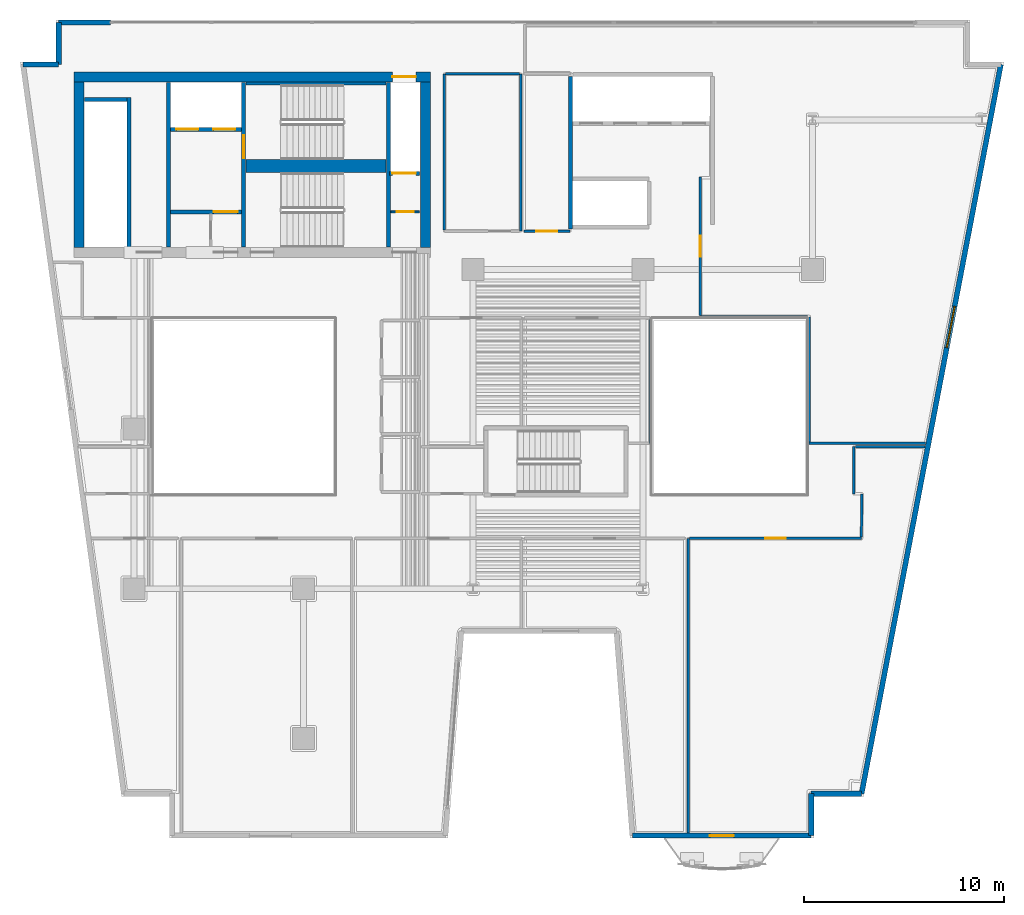
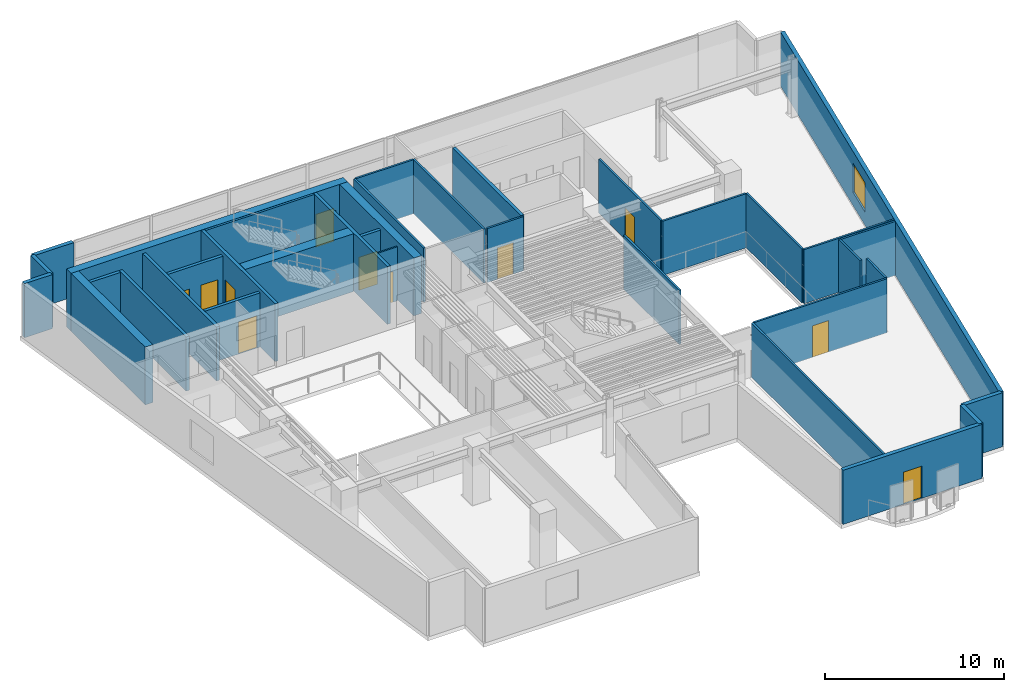
# One storey, part 7 of 12: 36 walls, 11 doors, 1 window, 12 openings.
"""IFC4 building model written with IfcOpenShell, lengths in metres."""

from ifc_helpers import new_model, si_unit, direction, frame, frame_2d, origin, place, context, subcontext, project, spatial, rectangle, extrude, material, layer, layer_set, type_object, element, fill, save


model = new_model("IFC4")

# Units and contexts
model_context = context("Model", 3, precision=1e-05, world=origin(), true_north=direction((0.0, 1.0)))
body_context = subcontext(model_context, "Body", "Model", "MODEL_VIEW")
ifc_project = project(units=[si_unit("LENGTHUNIT", "METRE"), si_unit("AREAUNIT", "SQUARE_METRE"), si_unit("VOLUMEUNIT", "CUBIC_METRE"), si_unit("PLANEANGLEUNIT", "RADIAN"), si_unit("MASSUNIT", "GRAM", prefix="KILO")], contexts=[model_context])

# Site, building, storey
site_placement = place(None, origin())
site = spatial("IfcSite", under=ifc_project, at=site_placement, CompositionType="ELEMENT")
building_placement = place(site_placement, origin())
building = spatial("IfcBuilding", under=site, at=building_placement, Name="Caeloran Harvest Quay", CompositionType="ELEMENT")
storey_placement = place(building_placement, frame((0.0, 0.0, 146.949951171875)))
storey = spatial("IfcBuildingStorey", under=building, at=storey_placement, Name="L34", CompositionType="ELEMENT", Elevation=146.949951171875)

# Walls
ifc_material_1 = material(Name="Precast concrete C50/60", Category="concrete")
ifc_layer_1 = layer(ifc_material_1, 0.260009765625, Name="Precast concrete C50/60")
ifc_layer_set_1 = layer_set([ifc_layer_1], Name="Precast concrete C50/60")
wall_type_1 = type_object("IfcWallType", Name="ENV-WALL-EW-260", PredefinedType="STANDARD", material=ifc_layer_set_1)
wall_1_placement = place(storey_placement, frame((2.939697265625, 41.27001953125, 0.0), z_axis=(0.0, 0.0, 1.0), x_axis=(1.0, 0.0, 0.0)))
element("IfcWall", 1, at=wall_1_placement, inside=storey, type_object=wall_type_1, Name="L34 Exterior Precast Concrete Facade Wall 4", PredefinedType="STANDARD", context=body_context, shape_type="SweptSolid", body=[
    extrude(rectangle(XDim=1.790283203125, YDim=0.260009765625, at=frame_2d((0.89501953125, 0.0))), origin(), (0.0, 0.0, 1.0), 3.68994140625),
])
wall_2_placement = place(storey_placement, frame((4.72998046875, 41.27001953125, 0.0), z_axis=(0.0, 0.0, 1.0), x_axis=(0.0, 1.0, 0.0)))
element("IfcWall", 2, at=wall_2_placement, inside=storey, type_object=wall_type_1, Name="L34 Exterior Precast Concrete Facade Wall 5", PredefinedType="STANDARD", context=body_context, shape_type="SweptSolid", body=[
    extrude(rectangle(XDim=2.10009765625, YDim=0.260009765625, at=frame_2d((1.050048828125, 0.0))), origin(), (0.0, 0.0, 1.0), 3.68994140625),
])
wall_3_placement = place(storey_placement, frame((4.72998046875, 43.3701171875, 0.0), z_axis=(0.0, 0.0, 1.0), x_axis=(1.0, 0.0, 0.0)))
element("IfcWall", 3, at=wall_3_placement, inside=storey, type_object=wall_type_1, Name="L34 Exterior Facade Corner Pier Wall 6A", PredefinedType="STANDARD", context=body_context, shape_type="SweptSolid", body=[
    extrude(rectangle(XDim=2.60009765625, YDim=0.260009765625, at=frame_2d((1.300048828125, 0.0))), origin(), (0.0, 0.0, 1.0), 3.68994140625),
])

# Wall, opening, window
wall_4_placement = place(storey_placement, frame((51.94189453125, 41.27001953125, 0.0), z_axis=(0.0, 0.0, 1.0), x_axis=(-0.187592192405, -0.982247000173, 0.0)))
wall_4 = element("IfcWall", 4, at=wall_4_placement, inside=storey, type_object=wall_type_1, Name="L34 Exterior Precast Concrete Facade Wall 9", PredefinedType="STANDARD", context=body_context, shape_type="SweptSolid", body=[
    extrude(rectangle(XDim=37.200439453125, YDim=0.260009765625, at=frame_2d((18.60009765625, 0.0))), origin(), (0.0, 0.0, 1.0), 3.68994140625),
])
opening_1_placement = place(wall_4_placement, frame((12.342041015625, 0.0, 0.89990234375)))
opening_1 = element("IfcOpeningElement", 5, at=opening_1_placement, cuts=wall_4, Name="Opening W-06", PredefinedType="OPENING", context=body_context, shape_type="SweptSolid", body=[
    extrude(rectangle(XDim=2.10009765625, YDim=2.0, at=frame_2d((1.050048828125, 1.0))), frame((0.0, 0.14013671875, 0.0), z_axis=(0.0, -1.0, 0.0), x_axis=(1.0, 0.0, 0.0)), (0.0, 0.0, 1.0), 0.280029296875),
])
ifc_material_2 = material(Name="Aluminium-Framed Low-E Laminated Glass", Category="aluminium")
window_type = type_object("IfcWindowType", Name="WIN-W-06", PartitioningType="DOUBLE_PANEL_VERTICAL", PredefinedType="WINDOW", material=ifc_material_2)
window_placement = place(opening_1_placement, origin())
window = element("IfcWindow", 6, at=window_placement, inside=storey, type_object=window_type, Name="L34 Facade Punched Window W-06", OverallHeight=2.0, OverallWidth=2.10009765625, PartitioningType="DOUBLE_PANEL_VERTICAL", PredefinedType="WINDOW", context=body_context, shape_type="SweptSolid", body=[
    extrude(rectangle(XDim=2.10009765625, YDim=2.0, at=frame_2d((1.050048828125, 1.0))), frame((0.0, 0.030029296875, 0.0), z_axis=(0.0, -1.0, 0.0), x_axis=(1.0, 0.0, 0.0)), (0.0, 0.0, 1.0), 0.06005859375),
])
fill(opening_1, window)

# Walls
wall_5_placement = place(storey_placement, frame((44.96337890625, 4.72998046875, 0.0), z_axis=(0.0, 0.0, 1.0), x_axis=(-1.0, 0.0, 0.0)))
element("IfcWall", 7, at=wall_5_placement, inside=storey, type_object=wall_type_1, Name="L34 Exterior Precast Concrete Facade Wall 10", PredefinedType="STANDARD", context=body_context, shape_type="SweptSolid", body=[
    extrude(rectangle(XDim=2.5234375, YDim=0.260009765625, at=frame_2d((1.26171875, 0.0))), origin(), (0.0, 0.0, 1.0), 3.68994140625),
])
wall_6_placement = place(storey_placement, frame((42.43994140625, 4.72998046875, 0.0), z_axis=(0.0, 0.0, 1.0), x_axis=(0.0, -1.0, 0.0)))
element("IfcWall", 8, at=wall_6_placement, inside=storey, type_object=wall_type_1, Name="L34 Exterior Precast Concrete Facade Wall 11", PredefinedType="STANDARD", context=body_context, shape_type="SweptSolid", body=[
    extrude(rectangle(XDim=2.10009765625, YDim=0.260009765625, at=frame_2d((1.050048828125, 0.0))), origin(), (0.0, 0.0, 1.0), 3.68994140625),
])

# Wall, opening, door
wall_7_placement = place(storey_placement, frame((42.43994140625, 2.6298828125, 0.0), z_axis=(0.0, 0.0, 1.0), x_axis=(-1.0, 0.0, 0.0)))
wall_7 = element("IfcWall", 9, at=wall_7_placement, inside=storey, type_object=wall_type_1, Name="L34 Exterior Precast Concrete Facade Wall 12", PredefinedType="STANDARD", context=body_context, shape_type="SweptSolid", body=[
    extrude(rectangle(XDim=8.96484375, YDim=0.260009765625, at=frame_2d((4.482421875, 0.0))), origin(), (0.0, 0.0, 1.0), 3.68994140625),
])
opening_2_placement = place(wall_7_placement, frame((3.882080078125, 0.0, 0.0)))
opening_2 = element("IfcOpeningElement", 10, at=opening_2_placement, cuts=wall_7, Name="Opening BD-01", PredefinedType="OPENING", context=body_context, shape_type="SweptSolid", body=[
    extrude(rectangle(XDim=1.199951171875, YDim=2.199951171875, at=frame_2d((0.60009765625, 1.10009765625))), frame((0.0, 0.14013671875, 0.0), z_axis=(0.0, -1.0, 0.0), x_axis=(1.0, 0.0, 0.0)), (0.0, 0.0, 1.0), 0.280029296875),
])
ifc_material_3 = material(Name="Thermally Broken Powder-Coated Aluminium and Safety Glass", Category="aluminium")
door_type_1 = type_object("IfcDoorType", Name="EXTDOOR-BD-01", OperationType="NOTDEFINED", PredefinedType="DOOR", material=ifc_material_3)
door_1_placement = place(opening_2_placement, origin())
door_1 = element("IfcDoor", 11, at=door_1_placement, inside=storey, type_object=door_type_1, Name="L34 Planted Balcony Glazed Access Door", OperationType="SINGLE_SWING_LEFT", OverallHeight=2.199951171875, OverallWidth=1.199951171875, PredefinedType="DOOR", context=body_context, shape_type="SweptSolid", body=[
    extrude(rectangle(XDim=1.199951171875, YDim=2.199951171875, at=frame_2d((0.60009765625, 1.10009765625))), frame((0.0, 0.02490234375, 0.0), z_axis=(0.0, -1.0, 0.0), x_axis=(1.0, 0.0, 0.0)), (0.0, 0.0, 1.0), 0.050048828125),
])
fill(opening_2, door_1)

ifc_material_4 = material(Name="Fire-Resisting Gypsum Core Riser Partition", Category="gypsum")
ifc_layer_2 = layer(ifc_material_4, 0.10009765625, Name="Fire-Resisting Gypsum Core Riser Partition")
ifc_layer_set_2 = layer_set([ifc_layer_2], Name="Fire-Resisting Gypsum Core Riser Partition")
wall_type_2 = type_object("IfcWallType", Name="INT-WALL-PW-100", PredefinedType="PARTITIONING", material=ifc_layer_set_2)
wall_8_placement = place(storey_placement, frame((21.3798828125, 33.889892578125, 0.0), z_axis=(0.0, 0.0, 1.0), x_axis=(1.0, 0.0, 0.0)))
wall_8 = element("IfcWall", 12, at=wall_8_placement, inside=storey, type_object=wall_type_2, Name="L34 Cleaner Store Partition Wall", PredefinedType="PARTITIONING", context=body_context, shape_type="SweptSolid", body=[
    extrude(rectangle(XDim=1.420166015625, YDim=0.10009765625, at=frame_2d((0.7099609375, 0.0))), origin(), (0.0, 0.0, 1.0), 3.68994140625),
])
opening_3_placement = place(wall_8_placement, frame((0.280029296875, 0.0, 0.0)))
opening_3 = element("IfcOpeningElement", 13, at=opening_3_placement, cuts=wall_8, Name="Opening SV-01", PredefinedType="OPENING", context=body_context, shape_type="SweptSolid", body=[
    extrude(rectangle(XDim=0.85009765625, YDim=2.10009765625, at=frame_2d((0.425048828125, 1.050048828125))), frame((0.0, 0.06005859375, 0.0), z_axis=(0.0, -1.0, 0.0), x_axis=(1.0, 0.0, 0.0)), (0.0, 0.0, 1.0), 0.1201171875),
])
ifc_material_5 = material(Name="Galvanized Painted Steel", Category="steel")
door_type_2 = type_object("IfcDoorType", Name="INTDOOR-SV-01", OperationType="NOTDEFINED", PredefinedType="DOOR", material=ifc_material_5)
door_2_placement = place(opening_3_placement, origin())
door_2 = element("IfcDoor", 14, at=door_2_placement, inside=storey, type_object=door_type_2, Name="L34 Cleaner Supply Store Access Door", OperationType="SINGLE_SWING_RIGHT", OverallHeight=2.10009765625, OverallWidth=0.85009765625, PredefinedType="DOOR", context=body_context, shape_type="SweptSolid", body=[
    extrude(rectangle(XDim=0.85009765625, YDim=2.10009765625, at=frame_2d((0.425048828125, 1.050048828125))), frame((0.0, 0.02490234375, 0.0), z_axis=(0.0, -1.0, 0.0), x_axis=(1.0, 0.0, 0.0)), (0.0, 0.0, 1.0), 0.050048828125),
])
fill(opening_3, door_2)

# Walls
ifc_material_6 = material(Name="Twin-Stud Mineral-Wool Acoustic Gypsum Partition", Category="gypsum")
ifc_layer_3 = layer(ifc_material_6, 0.125, Name="Twin-Stud Mineral-Wool Acoustic Gypsum Partition")
ifc_layer_set_3 = layer_set([ifc_layer_3], Name="Twin-Stud Mineral-Wool Acoustic Gypsum Partition")
wall_type_3 = type_object("IfcWallType", Name="INT-WALL-PW-125", PredefinedType="PARTITIONING", material=ifc_layer_set_3)
wall_9_placement = place(storey_placement, frame((27.8798828125, 40.800048828125, 0.0), z_axis=(0.0, 0.0, 1.0), x_axis=(0.0, -1.0, 0.0)))
element("IfcWall", 15, at=wall_9_placement, inside=storey, type_object=wall_type_3, Name="L34 Crop Phenotyping West Laboratory Partition Wall", PredefinedType="PARTITIONING", context=body_context, shape_type="SweptSolid", body=[
    extrude(rectangle(XDim=7.880126953125, YDim=0.125, at=frame_2d((3.93994140625, 0.0))), origin(), (0.0, 0.0, 1.0), 3.68994140625),
])
wall_10_placement = place(storey_placement, frame((24.050048828125, 32.987548828125, 0.0), z_axis=(0.0, 0.0, 1.0), x_axis=(0.0, 1.0, 0.0)))
element("IfcWall", 16, at=wall_10_placement, inside=storey, type_object=wall_type_3, Name="L34 Crop Phenotyping West Laboratory Partition Wall", PredefinedType="PARTITIONING", context=body_context, shape_type="SweptSolid", body=[
    extrude(rectangle(XDim=7.8125, YDim=0.125, at=frame_2d((3.90625, 0.0))), origin(), (0.0, 0.0, 1.0), 3.68994140625),
])
wall_11_placement = place(storey_placement, frame((24.117431640625, 40.800048828125, 0.0), z_axis=(0.0, 0.0, 1.0), x_axis=(1.0, 0.0, 0.0)))
element("IfcWall", 17, at=wall_11_placement, inside=storey, type_object=wall_type_3, Name="L34 Crop Phenotyping West Laboratory Partition Wall", PredefinedType="PARTITIONING", context=body_context, shape_type="SweptSolid", body=[
    extrude(rectangle(XDim=3.695068359375, YDim=0.125, at=frame_2d((1.84765625, 0.0))), origin(), (0.0, 0.0, 1.0), 3.68994140625),
])

# Wall, opening, door
wall_12_placement = place(storey_placement, frame((30.35009765625, 32.919921875, 0.0), z_axis=(0.0, 0.0, 1.0), x_axis=(-1.0, 0.0, 0.0)))
wall_12 = element("IfcWall", 18, at=wall_12_placement, inside=storey, type_object=wall_type_3, Name="L34 Genomics Sequencing East Studio Partition Wall", PredefinedType="PARTITIONING", context=body_context, shape_type="SweptSolid", body=[
    extrude(rectangle(XDim=2.31005859375, YDim=0.125, at=frame_2d((1.155029296875, 0.0))), origin(), (0.0, 0.0, 1.0), 3.68994140625),
])
opening_4_placement = place(wall_12_placement, frame((0.6298828125, 0.0, 0.0)))
opening_4 = element("IfcOpeningElement", 19, at=opening_4_placement, cuts=wall_12, Name="Opening ID-03", PredefinedType="OPENING", context=body_context, shape_type="SweptSolid", body=[
    extrude(rectangle(XDim=1.050048828125, YDim=2.14990234375, at=frame_2d((0.52490234375, 1.074951171875))), frame((0.0, 0.072509765625, 0.0), z_axis=(0.0, -1.0, 0.0), x_axis=(1.0, 0.0, 0.0)), (0.0, 0.0, 1.0), 0.14501953125),
])
ifc_material_7 = material(Name="FSC Solid-Core Oak Timber Leaf", Category="wood")
door_type_3 = type_object("IfcDoorType", Name="INTDOOR-ID-03", OperationType="NOTDEFINED", PredefinedType="DOOR", material=ifc_material_7)
door_3_placement = place(opening_4_placement, origin())
door_3 = element("IfcDoor", 20, at=door_3_placement, inside=storey, type_object=door_type_3, Name="L34 Genomics Sequencing East Studio Access Door", OperationType="SINGLE_SWING_RIGHT", OverallHeight=2.14990234375, OverallWidth=1.050048828125, PredefinedType="DOOR", context=body_context, shape_type="SweptSolid", body=[
    extrude(rectangle(XDim=1.050048828125, YDim=2.14990234375, at=frame_2d((0.52490234375, 1.074951171875))), frame((0.0, 0.02490234375, 0.0), z_axis=(0.0, -1.0, 0.0), x_axis=(1.0, 0.0, 0.0)), (0.0, 0.0, 1.0), 0.050048828125),
])
fill(opening_4, door_3)

# Walls
wall_13_placement = place(storey_placement, frame((44.580078125, 19.75, 0.0), z_axis=(0.0, 0.0, 1.0), x_axis=(0.0, 1.0, 0.0)))
element("IfcWall", 21, at=wall_13_placement, inside=storey, type_object=wall_type_3, Name="Seed IP Legal Counsel Office Partition Wall", PredefinedType="PARTITIONING", context=body_context, shape_type="SweptSolid", body=[
    extrude(rectangle(XDim=2.3701171875, YDim=0.125, at=frame_2d((1.18505859375, 0.0))), origin(), (0.0, 0.0, 1.0), 3.68994140625),
])
wall_14_placement = place(storey_placement, frame((44.6474609375, 22.1201171875, 0.0), z_axis=(0.0, 0.0, 1.0), x_axis=(1.0, 0.0, 0.0)))
element("IfcWall", 22, at=wall_14_placement, inside=storey, type_object=wall_type_3, Name="Seed IP Legal Counsel Office Partition Wall", PredefinedType="PARTITIONING", context=body_context, shape_type="SweptSolid", body=[
    extrude(rectangle(XDim=3.499755859375, YDim=0.125, at=frame_2d((1.75, 0.0))), origin(), (0.0, 0.0, 1.0), 3.68994140625),
])
wall_15_placement = place(storey_placement, frame((36.280029296875, 2.764892578125, 0.0), z_axis=(0.0, 0.0, 1.0), x_axis=(0.0, 1.0, 0.0)))
element("IfcWall", 23, at=wall_15_placement, inside=storey, type_object=wall_type_3, Name="Seed IP Legal Counsel Office Partition Wall", PredefinedType="PARTITIONING", context=body_context, shape_type="SweptSolid", body=[
    extrude(rectangle(XDim=14.755126953125, YDim=0.125, at=frame_2d((7.37744140625, 0.0))), origin(), (0.0, 0.0, 1.0), 3.68994140625),
])

# Wall, opening, door
wall_16_placement = place(storey_placement, frame((36.347412109375, 17.52001953125, 0.0), z_axis=(0.0, 0.0, 1.0), x_axis=(1.0, 0.0, 0.0)))
wall_16 = element("IfcWall", 24, at=wall_16_placement, inside=storey, type_object=wall_type_3, Name="Seed IP Legal Counsel Office Partition Wall", PredefinedType="PARTITIONING", context=body_context, shape_type="SweptSolid", body=[
    extrude(rectangle(XDim=8.6025390625, YDim=0.125, at=frame_2d((4.30126953125, 0.0))), origin(), (0.0, 0.0, 1.0), 3.68994140625),
])
opening_5_placement = place(wall_16_placement, frame((3.7763671875, 0.0, 0.0)))
opening_5 = element("IfcOpeningElement", 25, at=opening_5_placement, cuts=wall_16, Name="Opening ID-03", PredefinedType="OPENING", context=body_context, shape_type="SweptSolid", body=[
    extrude(rectangle(XDim=1.050048828125, YDim=2.14990234375, at=frame_2d((0.52490234375, 1.074951171875))), frame((0.0, 0.072509765625, 0.0), z_axis=(0.0, -1.0, 0.0), x_axis=(1.0, 0.0, 0.0)), (0.0, 0.0, 1.0), 0.14501953125),
])
door_4_placement = place(opening_5_placement, origin())
door_4 = element("IfcDoor", 26, at=door_4_placement, inside=storey, type_object=door_type_3, Name="Seed IP Legal Counsel Office Access Door", OperationType="SINGLE_SWING_RIGHT", OverallHeight=2.14990234375, OverallWidth=1.050048828125, PredefinedType="DOOR", context=body_context, shape_type="SweptSolid", body=[
    extrude(rectangle(XDim=1.050048828125, YDim=2.14990234375, at=frame_2d((0.52490234375, 1.074951171875))), frame((0.0, 0.02490234375, 0.0), z_axis=(0.0, -1.0, 0.0), x_axis=(1.0, 0.0, 0.0)), (0.0, 0.0, 1.0), 0.050048828125),
])
fill(opening_5, door_4)

# Walls
wall_17_placement = place(storey_placement, frame((44.950927734375, 17.58740234375, 0.0), z_axis=(0.0, 0.0, 1.0), x_axis=(0.01343297167, 0.999909773566, 0.0)))
element("IfcWall", 27, at=wall_17_placement, inside=storey, type_object=wall_type_3, Name="Seed IP Legal Counsel Office Partition Wall", PredefinedType="PARTITIONING", context=body_context, shape_type="SweptSolid", body=[
    extrude(rectangle(XDim=2.162841796875, YDim=0.125, at=frame_2d((1.08154296875, 0.0))), origin(), (0.0, 0.0, 1.0), 3.68994140625),
])
wall_18_placement = place(storey_placement, frame((34.3701171875, 28.50244140625, 0.0), z_axis=(0.0, 0.0, 1.0), x_axis=(0.0, -1.0, 0.0)))
element("IfcWall", 28, at=wall_18_placement, inside=storey, type_object=wall_type_3, Name="Supply-Chain Digital Trading Floor Office 9 Partition Wall", PredefinedType="PARTITIONING", context=body_context, shape_type="SweptSolid", body=[
    extrude(rectangle(XDim=6.222412109375, YDim=0.125, at=frame_2d((3.111328125, 0.0))), origin(), (0.0, 0.0, 1.0), 3.68994140625),
])
wall_19_placement = place(storey_placement, frame((48.177734375, 22.280029296875, 0.0), z_axis=(0.0, 0.0, 1.0), x_axis=(-1.0, 0.0, 0.0)))
element("IfcWall", 29, at=wall_19_placement, inside=storey, type_object=wall_type_3, Name="Seed IP Legal Counsel Office 11 Partition Wall", PredefinedType="PARTITIONING", context=body_context, shape_type="SweptSolid", body=[
    extrude(rectangle(XDim=5.84765625, YDim=0.125, at=frame_2d((2.923828125, 0.0))), origin(), (0.0, 0.0, 1.0), 3.68994140625),
])
wall_20_placement = place(storey_placement, frame((42.330078125, 22.347412109375, 0.0), z_axis=(0.0, 0.0, 1.0), x_axis=(0.0, 1.0, 0.0)))
element("IfcWall", 30, at=wall_20_placement, inside=storey, type_object=wall_type_3, Name="Seed IP Legal Counsel Office 11 Partition Wall", PredefinedType="PARTITIONING", context=body_context, shape_type="SweptSolid", body=[
    extrude(rectangle(XDim=6.282470703125, YDim=0.125, at=frame_2d((3.14111328125, 0.0))), origin(), (0.0, 0.0, 1.0), 3.68994140625),
])
wall_21_placement = place(storey_placement, frame((42.262451171875, 28.6298828125, 0.0), z_axis=(0.0, 0.0, 1.0), x_axis=(-1.0, 0.0, 0.0)))
element("IfcWall", 31, at=wall_21_placement, inside=storey, type_object=wall_type_3, Name="Seed IP Legal Counsel Office 11 Partition Wall", PredefinedType="PARTITIONING", context=body_context, shape_type="SweptSolid", body=[
    extrude(rectangle(XDim=5.382568359375, YDim=0.125, at=frame_2d((2.69140625, 0.0))), origin(), (0.0, 0.0, 1.0), 3.68994140625),
])

# Wall, opening, door
wall_22_placement = place(storey_placement, frame((36.8798828125, 28.697509765625, 0.0), z_axis=(0.0, 0.0, 1.0), x_axis=(0.0, 1.0, 0.0)))
wall_22 = element("IfcWall", 32, at=wall_22_placement, inside=storey, type_object=wall_type_3, Name="Seed IP Legal Counsel Office 11 Partition Wall", PredefinedType="PARTITIONING", context=body_context, shape_type="SweptSolid", body=[
    extrude(rectangle(XDim=6.922607421875, YDim=0.125, at=frame_2d((3.46142578125, 0.0))), origin(), (0.0, 0.0, 1.0), 3.68994140625),
])
opening_6_placement = place(wall_22_placement, frame((2.936279296875, 0.0, 0.0)))
opening_6 = element("IfcOpeningElement", 33, at=opening_6_placement, cuts=wall_22, Name="Opening ID-03", PredefinedType="OPENING", context=body_context, shape_type="SweptSolid", body=[
    extrude(rectangle(XDim=1.050048828125, YDim=2.14990234375, at=frame_2d((0.52490234375, 1.074951171875))), frame((0.0, 0.072509765625, 0.0), z_axis=(0.0, -1.0, 0.0), x_axis=(1.0, 0.0, 0.0)), (0.0, 0.0, 1.0), 0.14501953125),
])
door_5_placement = place(opening_6_placement, origin())
door_5 = element("IfcDoor", 34, at=door_5_placement, inside=storey, type_object=door_type_3, Name="Seed IP Legal Counsel Office 11 Access Door", OperationType="SINGLE_SWING_RIGHT", OverallHeight=2.14990234375, OverallWidth=1.050048828125, PredefinedType="DOOR", context=body_context, shape_type="SweptSolid", body=[
    extrude(rectangle(XDim=1.050048828125, YDim=2.14990234375, at=frame_2d((0.52490234375, 1.074951171875))), frame((0.0, 0.02490234375, 0.0), z_axis=(0.0, -1.0, 0.0), x_axis=(1.0, 0.0, 0.0)), (0.0, 0.0, 1.0), 0.050048828125),
])
fill(opening_6, door_5)

# Walls
ifc_material_8 = material(Name="Concrete C50/60", Category="concrete")
ifc_layer_4 = layer(ifc_material_8, 0.199951171875, Name="Concrete C50/60")
ifc_layer_set_4 = layer_set([ifc_layer_4], Name="Concrete C50/60")
wall_type_4 = type_object("IfcWallType", Name="INT-WALL-SW-200", PredefinedType="PARTITIONING", material=ifc_layer_set_4)
wall_23_placement = place(storey_placement, frame((8.260009765625, 32.1201171875, 0.0), z_axis=(0.0, 0.0, 1.0), x_axis=(0.0, 1.0, 0.0)))
element("IfcWall", 35, at=wall_23_placement, inside=storey, type_object=wall_type_4, Name="L34 Bank 3 Lift Shaft Wall", PredefinedType="PARTITIONING", context=body_context, shape_type="SweptSolid", body=[
    extrude(rectangle(XDim=7.5, YDim=0.199951171875, at=frame_2d((3.75, 0.0))), origin(), (0.0, 0.0, 1.0), 3.68994140625),
])
wall_24_placement = place(storey_placement, frame((6.02001953125, 39.52001953125, 0.0), z_axis=(0.0, 0.0, 1.0), x_axis=(1.0, 0.0, 0.0)))
element("IfcWall", 36, at=wall_24_placement, inside=storey, type_object=wall_type_4, Name="L34 Bank 3 Lift Shaft North End Wall", PredefinedType="PARTITIONING", context=body_context, shape_type="SweptSolid", body=[
    extrude(rectangle(XDim=2.119873046875, YDim=0.199951171875, at=frame_2d((1.06005859375, 0.0))), origin(), (0.0, 0.0, 1.0), 3.68994140625),
])
wall_25_placement = place(storey_placement, frame((10.219970703125, 32.1201171875, 0.0), z_axis=(0.0, 0.0, 1.0), x_axis=(0.0, 1.0, 0.0)))
element("IfcWall", 37, at=wall_25_placement, inside=storey, type_object=wall_type_4, Name="L34 Core Lobby Compartment Wall", PredefinedType="PARTITIONING", context=body_context, shape_type="SweptSolid", body=[
    extrude(rectangle(XDim=8.259765625, YDim=0.199951171875, at=frame_2d((4.1298828125, 0.0))), origin(), (0.0, 0.0, 1.0), 3.68994140625),
])

# Wall, openings, doors
wall_26_placement = place(storey_placement, frame((10.340087890625, 38.02001953125, 0.0), z_axis=(0.0, 0.0, 1.0), x_axis=(1.0, 0.0, 0.0)))
wall_26 = element("IfcWall", 38, at=wall_26_placement, inside=storey, type_object=wall_type_4, Name="L34 Firefighting Lift Shaft Wall", PredefinedType="PARTITIONING", context=body_context, shape_type="SweptSolid", body=[
    extrude(rectangle(XDim=3.539794921875, YDim=0.199951171875, at=frame_2d((1.77001953125, 0.0))), origin(), (0.0, 0.0, 1.0), 3.68994140625),
])
opening_7_placement = place(wall_26_placement, frame((0.284912109375, 0.0, 0.0)))
opening_7 = element("IfcOpeningElement", 39, at=opening_7_placement, cuts=wall_26, Name="Opening LD-01", PredefinedType="OPENING", context=body_context, shape_type="SweptSolid", body=[
    extrude(rectangle(XDim=1.10009765625, YDim=2.199951171875, at=frame_2d((0.550048828125, 1.10009765625))), frame((0.0, 0.10986328125, 0.0), z_axis=(0.0, -1.0, 0.0), x_axis=(1.0, 0.0, 0.0)), (0.0, 0.0, 1.0), 0.219970703125),
])
opening_8_placement = place(wall_26_placement, frame((2.135009765625, 0.0, 0.0)))
opening_8 = element("IfcOpeningElement", 40, at=opening_8_placement, cuts=wall_26, Name="Opening LD-01", PredefinedType="OPENING", context=body_context, shape_type="SweptSolid", body=[
    extrude(rectangle(XDim=1.10009765625, YDim=2.199951171875, at=frame_2d((0.550048828125, 1.10009765625))), frame((0.0, 0.10986328125, 0.0), z_axis=(0.0, -1.0, 0.0), x_axis=(1.0, 0.0, 0.0)), (0.0, 0.0, 1.0), 0.219970703125),
])
ifc_material_9 = material(Name="Stainless Steel Grade 316", Category="steel")
door_type_4 = type_object("IfcDoorType", Name="INTDOOR-LD-01", OperationType="NOTDEFINED", PredefinedType="DOOR", material=ifc_material_9)
door_6_placement = place(opening_7_placement, origin())
door_6 = element("IfcDoor", 41, at=door_6_placement, inside=storey, type_object=door_type_4, Name="Lift FF-1 Sliding Landing Door (L34)", OperationType="DOUBLE_DOOR_SLIDING", OverallHeight=2.199951171875, OverallWidth=1.10009765625, PredefinedType="DOOR", context=body_context, shape_type="SweptSolid", body=[
    extrude(rectangle(XDim=1.10009765625, YDim=2.199951171875, at=frame_2d((0.550048828125, 1.10009765625))), frame((0.0, 0.02490234375, 0.0), z_axis=(0.0, -1.0, 0.0), x_axis=(1.0, 0.0, 0.0)), (0.0, 0.0, 1.0), 0.050048828125),
])
fill(opening_7, door_6)
door_7_placement = place(opening_8_placement, origin())
door_7 = element("IfcDoor", 42, at=door_7_placement, inside=storey, type_object=door_type_4, Name="Lift FF-2 Sliding Landing Door (L34)", OperationType="DOUBLE_DOOR_SLIDING", OverallHeight=2.199951171875, OverallWidth=1.10009765625, PredefinedType="DOOR", context=body_context, shape_type="SweptSolid", body=[
    extrude(rectangle(XDim=1.10009765625, YDim=2.199951171875, at=frame_2d((0.550048828125, 1.10009765625))), frame((0.0, 0.02490234375, 0.0), z_axis=(0.0, -1.0, 0.0), x_axis=(1.0, 0.0, 0.0)), (0.0, 0.0, 1.0), 0.050048828125),
])
fill(opening_8, door_7)

# Wall, opening, door
wall_27_placement = place(storey_placement, frame((10.340087890625, 33.8798828125, 0.0), z_axis=(0.0, 0.0, 1.0), x_axis=(1.0, 0.0, 0.0)))
wall_27 = element("IfcWall", 43, at=wall_27_placement, inside=storey, type_object=wall_type_4, Name="L34 Firefighting Lift Lobby Enclosure Wall", PredefinedType="PARTITIONING", context=body_context, shape_type="SweptSolid", body=[
    extrude(rectangle(XDim=3.559814453125, YDim=0.199951171875, at=frame_2d((1.77978515625, 0.0))), origin(), (0.0, 0.0, 1.0), 3.68994140625),
])
opening_9_placement = place(wall_27_placement, frame((2.14990234375, 0.0, 0.0)))
opening_9 = element("IfcOpeningElement", 44, at=opening_9_placement, cuts=wall_27, Name="Opening FD-01", PredefinedType="OPENING", context=body_context, shape_type="SweptSolid", body=[
    extrude(rectangle(XDim=1.199951171875, YDim=2.199951171875, at=frame_2d((0.60009765625, 1.10009765625))), frame((0.0, 0.10986328125, 0.0), z_axis=(0.0, -1.0, 0.0), x_axis=(1.0, 0.0, 0.0)), (0.0, 0.0, 1.0), 0.219970703125),
])
ifc_material_10 = material(Name="Steel", Category="steel")
door_type_5 = type_object("IfcDoorType", Name="INTDOOR-FD-01", OperationType="NOTDEFINED", PredefinedType="DOOR", material=ifc_material_10)
door_8_placement = place(opening_9_placement, origin())
door_8 = element("IfcDoor", 45, at=door_8_placement, inside=storey, type_object=door_type_5, Name="L34 Firefighting Lift Lobby Smoke-Seal Fire Door", OperationType="SINGLE_SWING_RIGHT", OverallHeight=2.199951171875, OverallWidth=1.199951171875, PredefinedType="DOOR", context=body_context, shape_type="SweptSolid", body=[
    extrude(rectangle(XDim=1.199951171875, YDim=2.199951171875, at=frame_2d((0.60009765625, 1.10009765625))), frame((0.0, 0.02490234375, 0.0), z_axis=(0.0, -1.0, 0.0), x_axis=(1.0, 0.0, 0.0)), (0.0, 0.0, 1.0), 0.050048828125),
])
fill(opening_9, door_8)

wall_28_placement = place(storey_placement, frame((21.300048828125, 35.820068359375, 0.0), z_axis=(0.0, 0.0, 1.0), x_axis=(1.0, 0.0, 0.0)))
wall_28 = element("IfcWall", 46, at=wall_28_placement, inside=storey, type_object=wall_type_4, Name="L34 Service Lift SV-2 Shaft Wall", PredefinedType="PARTITIONING", context=body_context, shape_type="SweptSolid", body=[
    extrude(rectangle(XDim=1.5, YDim=0.199951171875, at=frame_2d((0.75, 0.0))), origin(), (0.0, 0.0, 1.0), 3.68994140625),
])
opening_10_placement = place(wall_28_placement, frame((0.14501953125, 0.0, 0.0)))
opening_10 = element("IfcOpeningElement", 47, at=opening_10_placement, cuts=wall_28, Name="Opening LD-02", PredefinedType="OPENING", context=body_context, shape_type="SweptSolid", body=[
    extrude(rectangle(XDim=1.179931640625, YDim=2.25, at=frame_2d((0.58984375, 1.125))), frame((0.0, 0.10986328125, 0.0), z_axis=(0.0, -1.0, 0.0), x_axis=(1.0, 0.0, 0.0)), (0.0, 0.0, 1.0), 0.219970703125),
])
door_type_6 = type_object("IfcDoorType", Name="INTDOOR-LD-02", OperationType="NOTDEFINED", PredefinedType="DOOR", material=ifc_material_9)
door_9_placement = place(opening_10_placement, origin())
door_9 = element("IfcDoor", 48, at=door_9_placement, inside=storey, type_object=door_type_6, Name="Lift SV-2 Sliding Landing Door (L34)", OperationType="DOUBLE_DOOR_SLIDING", OverallHeight=2.25, OverallWidth=1.179931640625, PredefinedType="DOOR", context=body_context, shape_type="SweptSolid", body=[
    extrude(rectangle(XDim=1.179931640625, YDim=2.25, at=frame_2d((0.58984375, 1.125))), frame((0.0, 0.02490234375, 0.0), z_axis=(0.0, -1.0, 0.0), x_axis=(1.0, 0.0, 0.0)), (0.0, 0.0, 1.0), 0.050048828125),
])
fill(opening_10, door_9)

# Wall
wall_29_placement = place(storey_placement, frame((30.3798828125, 33.02001953125, 0.0), z_axis=(0.0, 0.0, 1.0), x_axis=(0.0, 1.0, 0.0)))
element("IfcWall", 49, at=wall_29_placement, inside=storey, type_object=wall_type_4, Name="L34 Bank 2 and Shuttle Lift Shaft West Wall", PredefinedType="PARTITIONING", context=body_context, shape_type="SweptSolid", body=[
    extrude(rectangle(XDim=7.639892578125, YDim=0.199951171875, at=frame_2d((3.81982421875, 0.0))), origin(), (0.0, 0.0, 1.0), 3.68994140625),
])

# Wall, opening, door
ifc_material_11 = material(Name="Concrete C70/85", Category="concrete")
ifc_layer_5 = layer(ifc_material_11, 0.5, Name="Concrete C70/85")
ifc_layer_set_5 = layer_set([ifc_layer_5], Name="Concrete C70/85")
wall_type_5 = type_object("IfcWallType", Name="STR-WALL-CW-500", PredefinedType="SHEAR", material=ifc_layer_set_5)
wall_30_placement = place(storey_placement, frame((5.5, 40.64990234375, 0.0), z_axis=(0.0, 0.0, 1.0), x_axis=(1.0, 0.0, 0.0)))
wall_30 = element("IfcWall", 50, at=wall_30_placement, inside=storey, type_object=wall_type_5, Name="L34 Rear Core Shear Wall N", PredefinedType="SHEAR", context=body_context, shape_type="SweptSolid", body=[
    extrude(rectangle(XDim=17.85009765625, YDim=0.5, at=frame_2d((8.925048828125, 0.0))), origin(), (0.0, 0.0, 1.0), 3.949951171875),
])
opening_11_placement = place(wall_30_placement, frame((15.945068359375, 0.0, 0.0)))
opening_11 = element("IfcOpeningElement", 51, at=opening_11_placement, cuts=wall_30, Name="Opening LD-02", PredefinedType="OPENING", context=body_context, shape_type="SweptSolid", body=[
    extrude(rectangle(XDim=1.179931640625, YDim=2.25, at=frame_2d((0.58984375, 1.125))), frame((0.0, 0.260009765625, 0.0), z_axis=(0.0, -1.0, 0.0), x_axis=(1.0, 0.0, 0.0)), (0.0, 0.0, 1.0), 0.52001953125),
])
door_10_placement = place(opening_11_placement, origin())
door_10 = element("IfcDoor", 52, at=door_10_placement, inside=storey, type_object=door_type_6, Name="Lift SV-1 Sliding Landing Door (L34)", OperationType="DOUBLE_DOOR_SLIDING", OverallHeight=2.25, OverallWidth=1.179931640625, PredefinedType="DOOR", context=body_context, shape_type="SweptSolid", body=[
    extrude(rectangle(XDim=1.179931640625, YDim=2.25, at=frame_2d((0.58984375, 1.125))), frame((0.0, 0.02490234375, 0.0), z_axis=(0.0, -1.0, 0.0), x_axis=(1.0, 0.0, 0.0)), (0.0, 0.0, 1.0), 0.050048828125),
])
fill(opening_11, door_10)

# Walls
for number, where, z_axis, x_axis, name in (
    (53, (5.75, 32.10009765625, 0.0), (0.0, 0.0, 1.0), (0.0, 1.0, 0.0), "L34 Rear Core Shear Wall W"),
    (54, (23.10009765625, 32.10009765625, 0.0), (0.0, 0.0, 1.0), (0.0, 1.0, 0.0), "L34 Rear Core Shear Wall E"),
):
    element("IfcWall", number, at=place(storey_placement, frame(where, z_axis=z_axis, x_axis=x_axis)), inside=storey, type_object=wall_type_5, Name=name, PredefinedType="SHEAR", context=body_context, shape_type="SweptSolid", body=[
        extrude(rectangle(XDim=8.2998046875, YDim=0.5, at=frame_2d((4.14990234375, 0.0))), origin(), (0.0, 0.0, 1.0), 3.949951171875),
    ])
ifc_material_12 = material(Name="Concrete C60/75", Category="concrete")
ifc_layer_6 = layer(ifc_material_12, 0.64990234375, Name="Concrete C60/75")
ifc_layer_set_6 = layer_set([ifc_layer_6], Name="Concrete C60/75")
wall_type_6 = type_object("IfcWallType", Name="STR-WALL-CW-650", PredefinedType="SHEAR", material=ifc_layer_set_6)
wall_31_placement = place(storey_placement, frame((14.1201171875, 36.175048828125, 0.0), z_axis=(0.0, 0.0, 1.0), x_axis=(1.0, 0.0, 0.0)))
element("IfcWall", 55, at=wall_31_placement, inside=storey, type_object=wall_type_6, Name="L34 Core Stairs Dividing Shear Wall", PredefinedType="SHEAR", context=body_context, shape_type="SweptSolid", body=[
    extrude(rectangle(XDim=7.009765625, YDim=0.64990234375, at=frame_2d((3.5048828125, 0.0))), origin(), (0.0, 0.0, 1.0), 3.949951171875),
])
ifc_layer_7 = layer(ifc_material_12, 0.139892578125, Name="Concrete C60/75")
ifc_layer_set_7 = layer_set([ifc_layer_7], Name="Concrete C60/75")
wall_type_7 = type_object("IfcWallType", Name="STR-WALL-SW-140", PredefinedType="SHEAR", material=ifc_layer_set_7)
wall_32_placement = place(storey_placement, frame((14.1201171875, 40.320068359375, 0.0), z_axis=(0.0, 0.0, 1.0), x_axis=(1.0, 0.0, 0.0)))
element("IfcWall", 56, at=wall_32_placement, inside=storey, type_object=wall_type_7, Name="L34 Core Stair ST-C1 North Bearing Shear Wall", PredefinedType="SHEAR", context=body_context, shape_type="SweptSolid", body=[
    extrude(rectangle(XDim=7.009765625, YDim=0.139892578125, at=frame_2d((3.5048828125, 0.0))), origin(), (0.0, 0.0, 1.0), 3.949951171875),
])

# Wall, opening, door
ifc_layer_8 = layer(ifc_material_12, 0.199951171875, Name="Concrete C60/75")
ifc_layer_set_8 = layer_set([ifc_layer_8], Name="Concrete C60/75")
wall_type_8 = type_object("IfcWallType", Name="STR-WALL-SW-200", PredefinedType="SHEAR", material=ifc_layer_set_8)
wall_33_placement = place(storey_placement, frame((14.0, 32.1201171875, 0.0), z_axis=(0.0, 0.0, 1.0), x_axis=(0.0, 1.0, 0.0)))
wall_33 = element("IfcWall", 57, at=wall_33_placement, inside=storey, type_object=wall_type_8, Name="L34 Core Stair Shaft West Shear Wall", PredefinedType="SHEAR", context=body_context, shape_type="SweptSolid", body=[
    extrude(rectangle(XDim=8.259765625, YDim=0.199951171875, at=frame_2d((4.1298828125, 0.0))), origin(), (0.0, 0.0, 1.0), 3.949951171875),
])
opening_12_placement = place(wall_33_placement, frame((4.4599609375, 0.0, 0.0)))
opening_12 = element("IfcOpeningElement", 58, at=opening_12_placement, cuts=wall_33, Name="Opening SD-01", PredefinedType="OPENING", context=body_context, shape_type="SweptSolid", body=[
    extrude(rectangle(XDim=1.14990234375, YDim=2.199951171875, at=frame_2d((0.574951171875, 1.10009765625))), frame((0.0, 0.10986328125, 0.0), z_axis=(0.0, -1.0, 0.0), x_axis=(1.0, 0.0, 0.0)), (0.0, 0.0, 1.0), 0.219970703125),
])
door_type_7 = type_object("IfcDoorType", Name="INTDOOR-SD-01", OperationType="NOTDEFINED", PredefinedType="DOOR", material=ifc_material_10)
door_11_placement = place(opening_12_placement, origin())
door_11 = element("IfcDoor", 59, at=door_11_placement, inside=storey, type_object=door_type_7, Name="L34 Protected Stair ST-C1 Exit Door", OperationType="SINGLE_SWING_LEFT", OverallHeight=2.199951171875, OverallWidth=1.14990234375, PredefinedType="DOOR", context=body_context, shape_type="SweptSolid", body=[
    extrude(rectangle(XDim=1.14990234375, YDim=2.199951171875, at=frame_2d((0.574951171875, 1.10009765625))), frame((0.0, 0.02490234375, 0.0), z_axis=(0.0, -1.0, 0.0), x_axis=(1.0, 0.0, 0.0)), (0.0, 0.0, 1.0), 0.050048828125),
])
fill(opening_12, door_11)

# Wall
wall_34_placement = place(storey_placement, frame((21.25, 32.1201171875, 0.0), z_axis=(0.0, 0.0, 1.0), x_axis=(0.0, 1.0, 0.0)))
element("IfcWall", 60, at=wall_34_placement, inside=storey, type_object=wall_type_8, Name="L34 Core Stair Shaft East Shear Wall", PredefinedType="SHEAR", context=body_context, shape_type="SweptSolid", body=[
    extrude(rectangle(XDim=8.259765625, YDim=0.199951171875, at=frame_2d((4.1298828125, 0.0))), origin(), (0.0, 0.0, 1.0), 3.949951171875),
])

save(model, "model.ifc")
